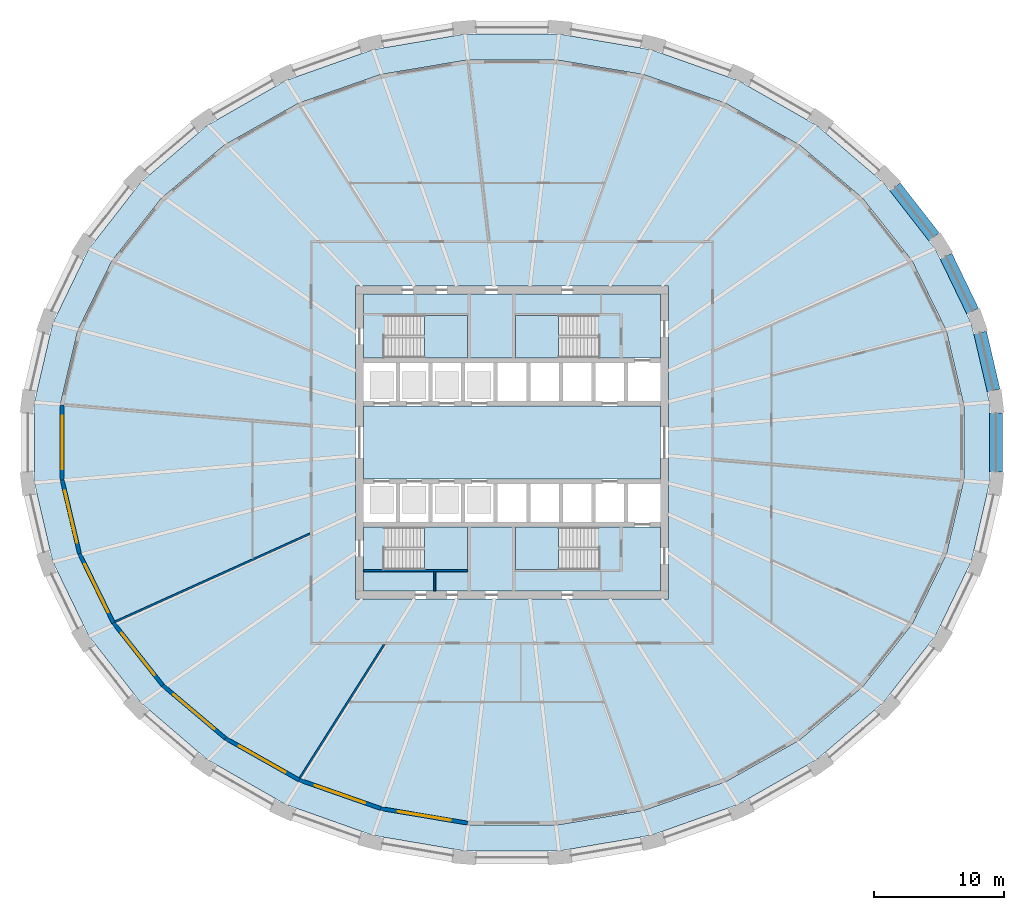
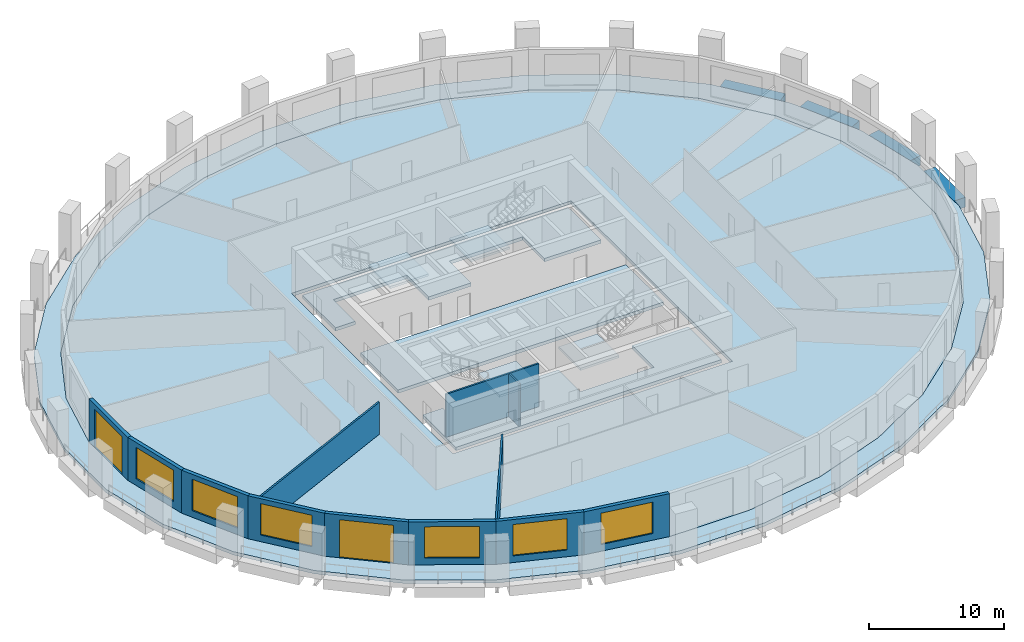
# One storey, part 2 of 10: 12 walls, 9 slabs, 6 windows, 4 beams, 2 doors, 8 openings, 4 elements without a shape of their own.
"""IFC4 building model written with IfcOpenShell, lengths in metres."""

from ifc_helpers import new_model, si_unit, direction, frame, frame_2d, origin, origin_2d, place, context, subcontext, project, spatial, polyline, rectangle, outline, extrude, material, layer, layer_set, material_profile, profile_set, type_object, element, fill, aggregate, save


model = new_model("IFC4")

# Units and contexts
model_context = context("Model", 3, precision=1e-05, world=origin(), true_north=direction((0.0, 1.0)))
body_context = subcontext(model_context, "Body", "Model", "MODEL_VIEW")
ifc_project = project(units=[si_unit("LENGTHUNIT", "METRE"), si_unit("AREAUNIT", "SQUARE_METRE"), si_unit("VOLUMEUNIT", "CUBIC_METRE"), si_unit("PLANEANGLEUNIT", "RADIAN"), si_unit("MASSUNIT", "GRAM", prefix="KILO")], contexts=[model_context])

# Site, building, storey
site_placement = place(None, origin())
site = spatial("IfcSite", under=ifc_project, at=site_placement, CompositionType="ELEMENT")
building_placement = place(site_placement, origin())
building = spatial("IfcBuilding", under=site, at=building_placement, Name="Halqa Exchange Tower", CompositionType="ELEMENT")
storey_placement = place(building_placement, frame((0.0, 0.0, 48.699951171875)))
storey = spatial("IfcBuildingStorey", under=building, at=storey_placement, Name="L10", CompositionType="ELEMENT", Elevation=48.699951171875)

# Beams
ifc_material_1 = material(Name="Concrete C60/75", Category="concrete")
ifc_material_profile = material_profile(ifc_material_1, rectangle(XDim=1.0, YDim=0.89990234375, at=origin_2d()), Name="1000 x 900")
ifc_profile_set = profile_set([ifc_material_profile], Name="Concrete C60/75")
beam_type = type_object("IfcBeamType", Name="RC spandrel beam 1000 x 900 C60/75", PredefinedType="SPANDREL", material=ifc_profile_set)
beam_1_placement = place(storey_placement, frame((36.9375, 3.99072265625, -0.449951171875), z_axis=(-0.226037111301, 0.974118691082, 0.0), x_axis=(-0.974118691082, -0.226037111301, 0.0)))
element("IfcBeam", 1, at=beam_1_placement, inside=storey, type_object=beam_type, Name="Spandrel 1", PredefinedType="SPANDREL", context=body_context, shape_type="SweptSolid", body=[
    extrude(rectangle(XDim=1.0, YDim=0.89990234375, at=origin_2d()), origin(), (0.0, 0.0, 1.0), 4.556884765625),
])
beam_2_placement = place(storey_placement, frame((35.327392578125, 10.074462890625, -0.449951171875), z_axis=(-0.43512988636, 0.900367692666, 0.0), x_axis=(-0.900367692666, -0.43512988636, 0.0)))
element("IfcBeam", 2, at=beam_2_placement, inside=storey, type_object=beam_type, Name="Spandrel 2", PredefinedType="SPANDREL", context=body_context, shape_type="SweptSolid", body=[
    extrude(rectangle(XDim=1.0, YDim=0.89990234375, at=origin_2d()), origin(), (0.0, 0.0, 1.0), 4.6787109375),
])
beam_3_placement = place(storey_placement, frame((32.37060546875, 15.76904296875, -0.449951171875), z_axis=(-0.614803063133, 0.788680666406, 0.0), x_axis=(-0.788680666406, -0.614803063133, 0.0)))
element("IfcBeam", 3, at=beam_3_placement, inside=storey, type_object=beam_type, Name="Spandrel 3", PredefinedType="SPANDREL", context=body_context, shape_type="SweptSolid", body=[
    extrude(rectangle(XDim=1.0, YDim=0.89990234375, at=origin_2d()), origin(), (0.0, 0.0, 1.0), 4.858154296875),
])
beam_4_placement = place(storey_placement, frame((37.135986328125, -2.25634765625, -0.449951171875), z_axis=(0.0, 1.0, 0.0), x_axis=(-1.0, 0.0, 0.0)))
element("IfcBeam", 4, at=beam_4_placement, inside=storey, type_object=beam_type, Name="Spandrel 32", PredefinedType="SPANDREL", context=body_context, shape_type="SweptSolid", body=[
    extrude(rectangle(XDim=1.0, YDim=0.89990234375, at=origin_2d()), origin(), (0.0, 0.0, 1.0), 4.5126953125),
])

# Slabs
ifc_layer_1 = layer(ifc_material_1, 0.300048828125)
ifc_layer_set_1 = layer_set([ifc_layer_1], Name="Concrete C60/75")
slab_type_1 = type_object("IfcSlabType", Name="Core floor slab 300", PredefinedType="FLOOR", material=ifc_layer_set_1)
slab_1_placement = place(storey_placement, frame((0.0, 0.0, -0.300048828125)))
element("IfcSlab", 5, at=slab_1_placement, inside=storey, type_object=slab_type_1, Name="Core floor slab", PredefinedType="FLOOR", context=body_context, shape_type="SweptSolid", body=[
    extrude(outline(polyline([(-11.39990234375, 2.800048828125), (11.39990234375, 2.800048828125), (11.39990234375, -2.800048828125), (-11.39990234375, -2.800048828125), (-11.39990234375, 2.800048828125)])), origin(), (0.0, 0.0, 1.0), 0.300048828125),
])
slab_2_placement = place(storey_placement, frame((0.0, 0.0, -0.300048828125)))
element("IfcSlab", 6, at=slab_2_placement, inside=storey, type_object=slab_type_1, Name="Core floor slab", PredefinedType="FLOOR", context=body_context, shape_type="SweptSolid", body=[
    extrude(outline(polyline([(-11.39990234375, 11.39990234375), (11.39990234375, 11.39990234375), (11.39990234375, 6.5), (6.550048828125, 6.5), (6.550048828125, 9.75), (0.25, 9.75), (0.25, 6.5), (-3.39990234375, 6.5), (-3.39990234375, 9.75), (-9.699951171875, 9.75), (-9.699951171875, 6.5), (-11.39990234375, 6.5), (-11.39990234375, 11.39990234375)])), origin(), (0.0, 0.0, 1.0), 0.300048828125),
])
slab_3_placement = place(storey_placement, frame((0.0, 0.0, -0.300048828125)))
element("IfcSlab", 7, at=slab_3_placement, inside=storey, type_object=slab_type_1, Name="Core floor slab", PredefinedType="FLOOR", context=body_context, shape_type="SweptSolid", body=[
    extrude(outline(polyline([(-9.699951171875, -9.75), (-3.39990234375, -9.75), (-3.39990234375, -6.5), (0.25, -6.5), (0.25, -9.75), (6.550048828125, -9.75), (6.550048828125, -6.5), (11.39990234375, -6.5), (11.39990234375, -11.39990234375), (-11.39990234375, -11.39990234375), (-11.39990234375, -6.5), (-9.699951171875, -6.5), (-9.699951171875, -9.75)])), origin(), (0.0, 0.0, 1.0), 0.300048828125),
])
ifc_material_2 = material(Name="Concrete C40/50", Category="concrete")
ifc_layer_2 = layer(ifc_material_2, 0.300048828125)
ifc_layer_set_2 = layer_set([ifc_layer_2], Name="Concrete C40/50")
slab_type_2 = type_object("IfcSlabType", Name="RC floor slab 300", PredefinedType="FLOOR", material=ifc_layer_set_2)
slab_4_placement = place(storey_placement, frame((0.0, 0.0, -0.300048828125)))
element("IfcSlab", 8, at=slab_4_placement, inside=storey, type_object=slab_type_2, Name="Floor slab", PredefinedType="FLOOR", context=body_context, shape_type="SweptSolid", body=[
    extrude(outline(polyline([(34.649658203125, 2.8955078125), (33.31396484375, 8.573486328125), (30.695556640625, 13.91845703125), (26.897705078125, 18.724365234375), (22.068603515625, 22.8076171875), (16.39501953125, 26.01318359375), (10.094482421875, 28.219970703125), (3.408203125, 29.344482421875), (-3.408203125, 29.344482421875), (-10.094482421875, 28.219970703125), (-16.39501953125, 26.01318359375), (-22.068603515625, 22.8076171875), (-26.897705078125, 18.724365234375), (-30.695556640625, 13.91845703125), (-33.31396484375, 8.573486328125), (-34.649658203125, 2.8955078125), (-34.649658203125, -2.8955078125), (-33.31396484375, -8.573486328125), (-30.695556640625, -13.91845703125), (-26.897705078125, -18.724365234375), (-22.068603515625, -22.8076171875), (-16.39501953125, -26.01318359375), (-10.094482421875, -28.219970703125), (-3.408203125, -29.344482421875), (3.408203125, -29.344482421875), (10.094482421875, -28.219970703125), (16.39501953125, -26.01318359375), (22.068603515625, -22.8076171875), (26.897705078125, -18.724365234375), (30.695556640625, -13.91845703125), (33.31396484375, -8.573486328125), (34.649658203125, -2.8955078125), (34.649658203125, 2.8955078125)]), holes=[polyline([(-12.0, -12.0), (12.0, -12.0), (12.0, 12.0), (-12.0, 12.0), (-12.0, -12.0)])]), origin(), (0.0, 0.0, 1.0), 0.300048828125),
])
ifc_layer_3 = layer(ifc_material_2, 0.300048828125)
ifc_layer_set_3 = layer_set([ifc_layer_3], Name="Concrete C40/50")
slab_type_3 = type_object("IfcSlabType", Name="RC loggia slab 300", PredefinedType="FLOOR", material=ifc_layer_set_3)
slab_5_placement = place(storey_placement, frame((0.0, 0.0, -0.300048828125)))
element("IfcSlab", 9, at=slab_5_placement, inside=storey, type_object=slab_type_3, Name="Loggia slab", PredefinedType="FLOOR", context=body_context, shape_type="SweptSolid", body=[
    extrude(outline(polyline([(36.635986328125, 3.077880859375), (36.635986328125, -3.077880859375), (35.234619140625, -9.117431640625), (32.482666015625, -14.812255859375), (28.48193359375, -19.944091796875), (23.38330078125, -24.314208984375), (17.380859375, -27.752197265625), (10.70556640625, -30.1220703125), (3.615234375, -31.3310546875), (-3.615234375, -31.3310546875), (-10.70556640625, -30.1220703125), (-17.380859375, -27.752197265625), (-23.38330078125, -24.314208984375), (-28.48193359375, -19.944091796875), (-32.482666015625, -14.812255859375), (-35.234619140625, -9.117431640625), (-36.635986328125, -3.077880859375), (-36.635986328125, 3.077880859375), (-35.234619140625, 9.117431640625), (-32.482666015625, 14.812255859375), (-28.48193359375, 19.944091796875), (-23.38330078125, 24.314208984375), (-17.380859375, 27.752197265625), (-10.70556640625, 30.1220703125), (-3.615234375, 31.3310546875), (3.615234375, 31.3310546875), (10.70556640625, 30.1220703125), (17.380859375, 27.752197265625), (23.38330078125, 24.314208984375), (28.48193359375, 19.944091796875), (32.482666015625, 14.812255859375), (35.234619140625, 9.117431640625), (36.635986328125, 3.077880859375)]), holes=[polyline([(34.649658203125, 2.8955078125), (33.31396484375, 8.573486328125), (30.695556640625, 13.91845703125), (26.897705078125, 18.724365234375), (22.068603515625, 22.8076171875), (16.39501953125, 26.01318359375), (10.094482421875, 28.219970703125), (3.408203125, 29.344482421875), (-3.408203125, 29.344482421875), (-10.094482421875, 28.219970703125), (-16.39501953125, 26.01318359375), (-22.068603515625, 22.8076171875), (-26.897705078125, 18.724365234375), (-30.695556640625, 13.91845703125), (-33.31396484375, 8.573486328125), (-34.649658203125, 2.8955078125), (-34.649658203125, -2.8955078125), (-33.31396484375, -8.573486328125), (-30.695556640625, -13.91845703125), (-26.897705078125, -18.724365234375), (-22.068603515625, -22.8076171875), (-16.39501953125, -26.01318359375), (-10.094482421875, -28.219970703125), (-3.408203125, -29.344482421875), (3.408203125, -29.344482421875), (10.094482421875, -28.219970703125), (16.39501953125, -26.01318359375), (22.068603515625, -22.8076171875), (26.897705078125, -18.724365234375), (30.695556640625, -13.91845703125), (33.31396484375, -8.573486328125), (34.649658203125, -2.8955078125), (34.649658203125, 2.8955078125)])]), origin(), (0.0, 0.0, 1.0), 0.300048828125),
])

# Stair, slab
ifc_material_3 = material(Name="Concrete C30/37", Category="concrete")
stair_type = type_object("IfcStairType", Name="Exit stair 1500 wide", PredefinedType="HALF_TURN_STAIR", material=ifc_material_3)
stair_1_placement = place(storey_placement, origin())
stair_1 = element("IfcStair", 10, at=stair_1_placement, inside=storey, type_object=stair_type, Name="Exit stair ST1", PredefinedType="HALF_TURN_STAIR")
ifc_layer_4 = layer(ifc_material_3, 0.199951171875)
ifc_layer_set_4 = layer_set([ifc_layer_4], Name="Concrete C30/37")
slab_type_4 = type_object("IfcSlabType", Name="Stair landing 200 slab", PredefinedType="LANDING", material=ifc_layer_set_4)
slab_6_placement = place(storey_placement, frame((0.0, 0.0, 1.900146484375)))
slab_6 = element("IfcSlab", 11, at=slab_6_placement, type_object=slab_type_4, Name="ST1 landing 1", PredefinedType="LANDING", context=body_context, shape_type="SweptSolid", body=[
    extrude(outline(polyline([(-6.719970703125, 6.5), (-3.39990234375, 6.5), (-3.39990234375, 9.75), (-6.719970703125, 9.75), (-6.719970703125, 6.5)])), origin(), (0.0, 0.0, 1.0), 0.199951171875),
])
aggregate(stair_1, [slab_6])

stair_2_placement = place(storey_placement, origin())
stair_2 = element("IfcStair", 12, at=stair_2_placement, inside=storey, type_object=stair_type, Name="Exit stair ST2", PredefinedType="HALF_TURN_STAIR")
slab_7_placement = place(storey_placement, frame((0.0, 0.0, 1.900146484375)))
slab_7 = element("IfcSlab", 13, at=slab_7_placement, type_object=slab_type_4, Name="ST2 landing 1", PredefinedType="LANDING", context=body_context, shape_type="SweptSolid", body=[
    extrude(outline(polyline([(0.25, 6.5), (3.570068359375, 6.5), (3.570068359375, 9.75), (0.25, 9.75), (0.25, 6.5)])), origin(), (0.0, 0.0, 1.0), 0.199951171875),
])
aggregate(stair_2, [slab_7])

stair_3_placement = place(storey_placement, origin())
stair_3 = element("IfcStair", 14, at=stair_3_placement, inside=storey, type_object=stair_type, Name="Exit stair ST3", PredefinedType="HALF_TURN_STAIR")
slab_8_placement = place(storey_placement, frame((0.0, 0.0, 1.900146484375)))
slab_8 = element("IfcSlab", 15, at=slab_8_placement, type_object=slab_type_4, Name="ST3 landing 1", PredefinedType="LANDING", context=body_context, shape_type="SweptSolid", body=[
    extrude(outline(polyline([(-6.719970703125, -9.75), (-3.39990234375, -9.75), (-3.39990234375, -6.5), (-6.719970703125, -6.5), (-6.719970703125, -9.75)])), origin(), (0.0, 0.0, 1.0), 0.199951171875),
])
aggregate(stair_3, [slab_8])

stair_4_placement = place(storey_placement, origin())
stair_4 = element("IfcStair", 16, at=stair_4_placement, inside=storey, type_object=stair_type, Name="Exit stair ST4", PredefinedType="HALF_TURN_STAIR")
slab_9_placement = place(storey_placement, frame((0.0, 0.0, 1.900146484375)))
slab_9 = element("IfcSlab", 17, at=slab_9_placement, type_object=slab_type_4, Name="ST4 landing 1", PredefinedType="LANDING", context=body_context, shape_type="SweptSolid", body=[
    extrude(outline(polyline([(0.25, -9.75), (3.570068359375, -9.75), (3.570068359375, -6.5), (0.25, -6.5), (0.25, -9.75)])), origin(), (0.0, 0.0, 1.0), 0.199951171875),
])
aggregate(stair_4, [slab_9])

# Walls
ifc_material_4 = material(Name="Fire-rated gypsum board")
ifc_layer_5 = layer(ifc_material_4, 0.14990234375)
ifc_layer_set_5 = layer_set([ifc_layer_5], Name="Fire-rated gypsum board")
wall_type_1 = type_object("IfcWallType", Name="Fire partition EI 60 150", PredefinedType="PARTITIONING", material=ifc_layer_set_5)
wall_1_placement = place(storey_placement, frame((-30.443603515625, -13.755126953125, 0.0), z_axis=(0.0, 0.0, 1.0), x_axis=(0.911343853748, 0.411645940385, 0.0)))
element("IfcWall", 18, at=wall_1_placement, inside=storey, type_object=wall_type_1, Name="L10-PWL-002", PredefinedType="PARTITIONING", context=body_context, shape_type="SweptSolid", body=[
    extrude(outline(polyline([(0.019775390625, -0.074951171875), (1.8388671875, -0.074951171875), (3.65771484375, -0.074951171875), (5.476806640625, -0.074951171875), (7.2958984375, -0.074951171875), (9.11474609375, -0.074951171875), (10.933837890625, -0.074951171875), (12.7529296875, -0.074951171875), (14.57177734375, -0.074951171875), (16.390869140625, -0.074951171875), (16.442138671875, 0.038330078125), (16.442138671875, 0.038330078125), (16.45849609375, 0.074951171875), (14.8583984375, 0.074951171875), (13.25830078125, 0.074951171875), (11.657958984375, 0.074951171875), (11.6572265625, 0.072998046875), (11.65283203125, 0.074951171875), (9.710693359375, 0.074951171875), (7.7685546875, 0.074951171875), (5.826416015625, 0.074951171875), (3.88427734375, 0.074951171875), (1.942138671875, 0.074951171875), (0.0, 0.074951171875), (0.0, 0.06201171875), (0.001953125, -0.003662109375), (0.019775390625, -0.074951171875)])), origin(), (0.0, 0.0, 1.0), 2.91015625),
])
wall_2_placement = place(storey_placement, frame((-16.27294921875, -25.74169921875, 0.0), z_axis=(0.0, 0.0, 1.0), x_axis=(0.534654841392, 0.845070529942, 0.0)))
element("IfcWall", 19, at=wall_2_placement, inside=storey, type_object=wall_type_1, Name="L10-PWL-004", PredefinedType="PARTITIONING", context=body_context, shape_type="SweptSolid", body=[
    extrude(outline(polyline([(0.020751953125, -0.074951171875), (1.768798828125, -0.074951171875), (3.516845703125, -0.074951171875), (5.26513671875, -0.074951171875), (7.01318359375, -0.074951171875), (7.017578125, -0.072265625), (7.019287109375, -0.074951171875), (8.744873046875, -0.074951171875), (10.470703125, -0.074951171875), (12.1962890625, -0.074951171875), (12.1962890625, -0.074951171875), (12.1015625, 0.074951171875), (10.372802734375, 0.074951171875), (8.64404296875, 0.074951171875), (6.9150390625, 0.074951171875), (5.186279296875, 0.074951171875), (3.45751953125, 0.074951171875), (1.728759765625, 0.074951171875), (0.0, 0.074951171875), (0.0, 0.071044921875), (0.003662109375, -0.00048828125), (0.020751953125, -0.074951171875)])), origin(), (0.0, 0.0, 1.0), 3.110107421875),
])
ifc_material_5 = material(Name="Gypsum board")
ifc_layer_6 = layer(ifc_material_5, 0.14990234375)
ifc_layer_set_6 = layer_set([ifc_layer_6], Name="Gypsum board")
wall_type_2 = type_object("IfcWallType", Name="Penthouse riser wall 150 gypsum", PredefinedType="PARTITIONING", material=ifc_layer_set_6)
wall_3_placement = place(storey_placement, frame((-5.925048828125, -11.39990234375, 0.0), z_axis=(0.0, 0.0, 1.0), x_axis=(0.0, 1.0, 0.0)))
element("IfcWall", 20, at=wall_3_placement, inside=storey, type_object=wall_type_2, Name="Partition W5.925 S", PredefinedType="PARTITIONING", context=body_context, shape_type="SweptSolid", body=[
    extrude(rectangle(XDim=1.5, YDim=0.14990234375, at=frame_2d((0.75, 0.0))), origin(), (0.0, 0.0, 1.0), 3.900146484375),
])
ifc_layer_7 = layer(ifc_material_3, 0.14990234375)
ifc_layer_set_7 = layer_set([ifc_layer_7], Name="Concrete C30/37")
wall_type_3 = type_object("IfcWallType", Name="RC stair wall 150 C30/37", PredefinedType="SHEAR", material=ifc_layer_set_7)
wall_4_placement = place(storey_placement, frame((-11.39990234375, -9.824951171875, 0.0), z_axis=(0.0, 0.0, 1.0), x_axis=(1.0, 0.0, 0.0)))
element("IfcWall", 21, at=wall_4_placement, inside=storey, type_object=wall_type_3, Name="Stair ST1 north wall S", PredefinedType="SHEAR", context=body_context, shape_type="SweptSolid", body=[
    extrude(rectangle(XDim=8.0, YDim=0.14990234375, at=frame_2d((4.0, 0.0))), origin(), (0.0, 0.0, 1.0), 3.900146484375),
])

# Wall, opening, door
ifc_material_6 = material(Name="Limestone cladding", Category="masonry")
ifc_layer_8 = layer(ifc_material_6, 0.0400390625)
ifc_material_7 = material(Name="Ventilated cavity")
ifc_layer_9 = layer(ifc_material_7, 0.030029296875, ventilated=True)
ifc_material_8 = material(Name="Mineral wool insulation")
ifc_layer_10 = layer(ifc_material_8, 0.10009765625)
ifc_layer_11 = layer(ifc_material_3, 0.10009765625)
ifc_material_9 = material(Name="Internal plaster")
ifc_layer_12 = layer(ifc_material_9, 0.030029296875)
ifc_layer_set_8 = layer_set([ifc_layer_8, ifc_layer_9, ifc_layer_10, ifc_layer_11, ifc_layer_12], Name="Stone-faced insulated wall 300")
wall_type_4 = type_object("IfcWallType", Name="Stone-faced insulated wall 300", PredefinedType="STANDARD", material=ifc_layer_set_8)
wall_5_placement = place(storey_placement, frame((-34.49951171875, 2.8779296875, 0.0), z_axis=(0.0, 0.0, 1.0), x_axis=(0.0, -1.0, 0.0)))
wall_5 = element("IfcWall", 22, at=wall_5_placement, inside=storey, type_object=wall_type_4, Name="Glass-line wall 16", PredefinedType="STANDARD", context=body_context, shape_type="SweptSolid", body=[
    extrude(outline(polyline([(-0.017333984375, -0.14990234375), (5.773193359375, -0.14990234375), (5.738525390625, 0.14990234375), (0.017333984375, 0.14990234375), (-0.017333984375, -0.14990234375)])), origin(), (0.0, 0.0, 1.0), 3.900146484375),
])
opening_1_placement = place(wall_5_placement, frame((0.827880859375, 0.0, 0.0)))
opening_1 = element("IfcOpeningElement", 23, at=opening_1_placement, cuts=wall_5, Name="Opening LG-F1-04", PredefinedType="OPENING", context=body_context, shape_type="SweptSolid", body=[
    extrude(rectangle(XDim=4.10009765625, YDim=3.449951171875, at=frame_2d((2.050048828125, 1.72509765625))), frame((0.0, 0.162109375, 0.0), z_axis=(0.0, -1.0, 0.0), x_axis=(1.0, 0.0, 0.0)), (0.0, 0.0, 1.0), 0.323974609375),
])
ifc_material_10 = material(Name="Clear low-emissivity glass in aluminium frame", Category="aluminium")
door_type = type_object("IfcDoorType", Name="Glazed sliding loggia door 4100 x 3450", OperationType="DOUBLE_DOOR_SLIDING", PredefinedType="DOOR", material=ifc_material_10)
door_1_placement = place(opening_1_placement, origin())
door_1 = element("IfcDoor", 24, at=door_1_placement, inside=storey, type_object=door_type, Name="Loggia door 4", OperationType="DOUBLE_DOOR_SLIDING", OverallHeight=3.449951171875, OverallWidth=4.10009765625, PredefinedType="DOOR", context=body_context, shape_type="SweptSolid", body=[
    extrude(rectangle(XDim=4.10009765625, YDim=3.449951171875, at=frame_2d((2.050048828125, 1.72509765625))), frame((0.0, 0.02490234375, 0.0), z_axis=(0.0, -1.0, 0.0), x_axis=(1.0, 0.0, 0.0)), (0.0, 0.0, 1.0), 0.050048828125),
])
fill(opening_1, door_1)

# Wall, opening, window
wall_6_placement = place(storey_placement, frame((-34.49951171875, -2.8779296875, 0.0), z_axis=(0.0, 0.0, 1.0), x_axis=(0.228990053972, -0.973428762253, 0.0)))
wall_6 = element("IfcWall", 25, at=wall_6_placement, inside=storey, type_object=wall_type_4, Name="Glass-line wall 17", PredefinedType="STANDARD", context=body_context, shape_type="SweptSolid", body=[
    extrude(outline(polyline([(-0.017333984375, -0.14990234375), (5.815673828125, -0.14990234375), (5.781982421875, 0.14990234375), (0.017333984375, 0.14990234375), (-0.017333984375, -0.14990234375)])), origin(), (0.0, 0.0, 1.0), 3.900146484375),
])
opening_2_placement = place(wall_6_placement, frame((0.849365234375, 0.0, 0.60009765625)))
opening_2 = element("IfcOpeningElement", 26, at=opening_2_placement, cuts=wall_6, Name="Opening W-F1-17", PredefinedType="OPENING", context=body_context, shape_type="SweptSolid", body=[
    extrude(rectangle(XDim=4.10009765625, YDim=2.85009765625, at=frame_2d((2.050048828125, 1.425048828125))), frame((0.0, 0.162109375, 0.0), z_axis=(0.0, -1.0, 0.0), x_axis=(1.0, 0.0, 0.0)), (0.0, 0.0, 1.0), 0.323974609375),
])
window_type = type_object("IfcWindowType", Name="Fixed clear glazed window 4100 x 2850", PartitioningType="TRIPLE_PANEL_VERTICAL", PredefinedType="WINDOW", material=ifc_material_10)
window_1_placement = place(opening_2_placement, origin())
window_1 = element("IfcWindow", 27, at=window_1_placement, inside=storey, type_object=window_type, Name="Window 1", OverallHeight=2.85009765625, OverallWidth=4.10009765625, PartitioningType="TRIPLE_PANEL_VERTICAL", PredefinedType="WINDOW", context=body_context, shape_type="SweptSolid", body=[
    extrude(rectangle(XDim=4.10009765625, YDim=2.85009765625, at=frame_2d((2.050048828125, 1.425048828125))), frame((0.0, 0.030029296875, 0.0), z_axis=(0.0, -1.0, 0.0), x_axis=(1.0, 0.0, 0.0)), (0.0, 0.0, 1.0), 0.06005859375),
])
fill(opening_2, window_1)

wall_7_placement = place(storey_placement, frame((-33.171630859375, -8.522705078125, 0.0), z_axis=(0.0, 0.0, 1.0), x_axis=(0.439906146647, -0.898043752911, 0.0)))
wall_7 = element("IfcWall", 28, at=wall_7_placement, inside=storey, type_object=wall_type_4, Name="Glass-line wall 18", PredefinedType="STANDARD", context=body_context, shape_type="SweptSolid", body=[
    extrude(outline(polyline([(-0.016845703125, -0.14990234375), (5.93505859375, -0.14990234375), (5.90283203125, 0.14990234375), (0.016845703125, 0.14990234375), (-0.016845703125, -0.14990234375)])), origin(), (0.0, 0.0, 1.0), 3.900146484375),
])
opening_3_placement = place(wall_7_placement, frame((0.909423828125, 0.0, 0.60009765625)))
opening_3 = element("IfcOpeningElement", 29, at=opening_3_placement, cuts=wall_7, Name="Opening W-F1-18", PredefinedType="OPENING", context=body_context, shape_type="SweptSolid", body=[
    extrude(rectangle(XDim=4.10009765625, YDim=2.85009765625, at=frame_2d((2.050048828125, 1.425048828125))), frame((0.0, 0.162109375, 0.0), z_axis=(0.0, -1.0, 0.0), x_axis=(1.0, 0.0, 0.0)), (0.0, 0.0, 1.0), 0.323974609375),
])
window_2_placement = place(opening_3_placement, origin())
window_2 = element("IfcWindow", 30, at=window_2_placement, inside=storey, type_object=window_type, Name="Window 1", OverallHeight=2.85009765625, OverallWidth=4.10009765625, PartitioningType="TRIPLE_PANEL_VERTICAL", PredefinedType="WINDOW", context=body_context, shape_type="SweptSolid", body=[
    extrude(rectangle(XDim=4.10009765625, YDim=2.85009765625, at=frame_2d((2.050048828125, 1.425048828125))), frame((0.0, 0.030029296875, 0.0), z_axis=(0.0, -1.0, 0.0), x_axis=(1.0, 0.0, 0.0)), (0.0, 0.0, 1.0), 0.06005859375),
])
fill(opening_3, window_2)

wall_8_placement = place(storey_placement, frame((-30.56787109375, -13.838134765625, 0.0), z_axis=(0.0, 0.0, 1.0), x_axis=(0.619993638342, -0.78460683684, 0.0)))
wall_8 = element("IfcWall", 31, at=wall_8_placement, inside=storey, type_object=wall_type_4, Name="Glass-line wall 19", PredefinedType="STANDARD", context=body_context, shape_type="SweptSolid", body=[
    extrude(outline(polyline([(-0.01611328125, -0.14990234375), (6.109375, -0.14990234375), (6.0791015625, 0.14990234375), (0.01611328125, 0.14990234375), (-0.01611328125, -0.14990234375)])), origin(), (0.0, 0.0, 1.0), 3.900146484375),
])
opening_4_placement = place(wall_8_placement, frame((0.9970703125, 0.0, 0.60009765625)))
opening_4 = element("IfcOpeningElement", 32, at=opening_4_placement, cuts=wall_8, Name="Opening W-F1-19", PredefinedType="OPENING", context=body_context, shape_type="SweptSolid", body=[
    extrude(rectangle(XDim=4.10009765625, YDim=2.85009765625, at=frame_2d((2.050048828125, 1.425048828125))), frame((0.0, 0.162109375, 0.0), z_axis=(0.0, -1.0, 0.0), x_axis=(1.0, 0.0, 0.0)), (0.0, 0.0, 1.0), 0.323974609375),
])
window_3_placement = place(opening_4_placement, origin())
window_3 = element("IfcWindow", 33, at=window_3_placement, inside=storey, type_object=window_type, Name="Window 1", OverallHeight=2.85009765625, OverallWidth=4.10009765625, PartitioningType="TRIPLE_PANEL_VERTICAL", PredefinedType="WINDOW", context=body_context, shape_type="SweptSolid", body=[
    extrude(rectangle(XDim=4.10009765625, YDim=2.85009765625, at=frame_2d((2.050048828125, 1.425048828125))), frame((0.0, 0.030029296875, 0.0), z_axis=(0.0, -1.0, 0.0), x_axis=(1.0, 0.0, 0.0)), (0.0, 0.0, 1.0), 0.06005859375),
])
fill(opening_4, window_3)

# Wall, opening, door
wall_9_placement = place(storey_placement, frame((-26.78955078125, -18.61962890625, 0.0), z_axis=(0.0, 0.0, 1.0), x_axis=(0.763614259808, -0.645672720671, 0.0)))
wall_9 = element("IfcWall", 34, at=wall_9_placement, inside=storey, type_object=wall_type_4, Name="Glass-line wall 20", PredefinedType="STANDARD", context=body_context, shape_type="SweptSolid", body=[
    extrude(outline(polyline([(-0.01513671875, -0.14990234375), (6.30908203125, -0.14990234375), (6.28076171875, 0.14990234375), (0.01513671875, 0.14990234375), (-0.01513671875, -0.14990234375)])), origin(), (0.0, 0.0, 1.0), 3.900146484375),
])
opening_5_placement = place(wall_9_placement, frame((1.097412109375, 0.0, 0.0)))
opening_5 = element("IfcOpeningElement", 35, at=opening_5_placement, cuts=wall_9, Name="Opening LG-F1-05", PredefinedType="OPENING", context=body_context, shape_type="SweptSolid", body=[
    extrude(rectangle(XDim=4.10009765625, YDim=3.449951171875, at=frame_2d((2.050048828125, 1.72509765625))), frame((0.0, 0.162109375, 0.0), z_axis=(0.0, -1.0, 0.0), x_axis=(1.0, 0.0, 0.0)), (0.0, 0.0, 1.0), 0.323974609375),
])
door_2_placement = place(opening_5_placement, origin())
door_2 = element("IfcDoor", 36, at=door_2_placement, inside=storey, type_object=door_type, Name="Loggia door 5", OperationType="DOUBLE_DOOR_SLIDING", OverallHeight=3.449951171875, OverallWidth=4.10009765625, PredefinedType="DOOR", context=body_context, shape_type="SweptSolid", body=[
    extrude(rectangle(XDim=4.10009765625, YDim=3.449951171875, at=frame_2d((2.050048828125, 1.72509765625))), frame((0.0, 0.02490234375, 0.0), z_axis=(0.0, -1.0, 0.0), x_axis=(1.0, 0.0, 0.0)), (0.0, 0.0, 1.0), 0.050048828125),
])
fill(opening_5, door_2)

# Wall, opening, window
wall_10_placement = place(storey_placement, frame((-21.982666015625, -22.68408203125, 0.0), z_axis=(0.0, 0.0, 1.0), x_axis=(0.870647609977, -0.491907246584, 0.0)))
wall_10 = element("IfcWall", 37, at=wall_10_placement, inside=storey, type_object=wall_type_4, Name="Glass-line wall 21", PredefinedType="STANDARD", context=body_context, shape_type="SweptSolid", body=[
    extrude(outline(polyline([(-0.01416015625, -0.14990234375), (6.502685546875, -0.14990234375), (6.475830078125, 0.14990234375), (0.01416015625, 0.14990234375), (-0.01416015625, -0.14990234375)])), origin(), (0.0, 0.0, 1.0), 3.900146484375),
])
opening_6_placement = place(wall_10_placement, frame((1.194580078125, 0.0, 0.60009765625)))
opening_6 = element("IfcOpeningElement", 38, at=opening_6_placement, cuts=wall_10, Name="Opening W-F1-21", PredefinedType="OPENING", context=body_context, shape_type="SweptSolid", body=[
    extrude(rectangle(XDim=4.10009765625, YDim=2.85009765625, at=frame_2d((2.050048828125, 1.425048828125))), frame((0.0, 0.162109375, 0.0), z_axis=(0.0, -1.0, 0.0), x_axis=(1.0, 0.0, 0.0)), (0.0, 0.0, 1.0), 0.323974609375),
])
window_4_placement = place(opening_6_placement, origin())
window_4 = element("IfcWindow", 39, at=window_4_placement, inside=storey, type_object=window_type, Name="Window 1", OverallHeight=2.85009765625, OverallWidth=4.10009765625, PartitioningType="TRIPLE_PANEL_VERTICAL", PredefinedType="WINDOW", context=body_context, shape_type="SweptSolid", body=[
    extrude(rectangle(XDim=4.10009765625, YDim=2.85009765625, at=frame_2d((2.050048828125, 1.425048828125))), frame((0.0, 0.030029296875, 0.0), z_axis=(0.0, -1.0, 0.0), x_axis=(1.0, 0.0, 0.0)), (0.0, 0.0, 1.0), 0.06005859375),
])
fill(opening_6, window_4)

wall_11_placement = place(storey_placement, frame((-16.332763671875, -25.876220703125, 0.0), z_axis=(0.0, 0.0, 1.0), x_axis=(0.943790794479, -0.330543395421, 0.0)))
wall_11 = element("IfcWall", 40, at=wall_11_placement, inside=storey, type_object=wall_type_4, Name="Glass-line wall 22", PredefinedType="STANDARD", context=body_context, shape_type="SweptSolid", body=[
    extrude(outline(polyline([(-0.013427734375, -0.14990234375), (6.662353515625, -0.14990234375), (6.636962890625, 0.14990234375), (0.013427734375, 0.14990234375), (-0.013427734375, -0.14990234375)])), origin(), (0.0, 0.0, 1.0), 3.900146484375),
])
opening_7_placement = place(wall_11_placement, frame((1.27490234375, 0.0, 0.60009765625)))
opening_7 = element("IfcOpeningElement", 41, at=opening_7_placement, cuts=wall_11, Name="Opening W-F1-22", PredefinedType="OPENING", context=body_context, shape_type="SweptSolid", body=[
    extrude(rectangle(XDim=4.10009765625, YDim=2.85009765625, at=frame_2d((2.050048828125, 1.425048828125))), frame((0.0, 0.162109375, 0.0), z_axis=(0.0, -1.0, 0.0), x_axis=(1.0, 0.0, 0.0)), (0.0, 0.0, 1.0), 0.323974609375),
])
window_5_placement = place(opening_7_placement, origin())
window_5 = element("IfcWindow", 42, at=window_5_placement, inside=storey, type_object=window_type, Name="Window 1", OverallHeight=2.85009765625, OverallWidth=4.10009765625, PartitioningType="TRIPLE_PANEL_VERTICAL", PredefinedType="WINDOW", context=body_context, shape_type="SweptSolid", body=[
    extrude(rectangle(XDim=4.10009765625, YDim=2.85009765625, at=frame_2d((2.050048828125, 1.425048828125))), frame((0.0, 0.030029296875, 0.0), z_axis=(0.0, -1.0, 0.0), x_axis=(1.0, 0.0, 0.0)), (0.0, 0.0, 1.0), 0.06005859375),
])
fill(opening_7, window_5)

wall_12_placement = place(storey_placement, frame((-10.056884765625, -28.07421875, 0.0), z_axis=(0.0, 0.0, 1.0), x_axis=(0.986149614624, -0.165858185139, 0.0)))
wall_12 = element("IfcWall", 43, at=wall_12_placement, inside=storey, type_object=wall_type_4, Name="Glass-line wall 23", PredefinedType="STANDARD", context=body_context, shape_type="SweptSolid", body=[
    extrude(outline(polyline([(-0.0126953125, -0.14990234375), (6.767333984375, -0.14990234375), (6.742431640625, 0.14990234375), (0.0126953125, 0.14990234375), (-0.0126953125, -0.14990234375)])), origin(), (0.0, 0.0, 1.0), 3.900146484375),
])
opening_8_placement = place(wall_12_placement, frame((1.327392578125, 0.0, 0.60009765625)))
opening_8 = element("IfcOpeningElement", 44, at=opening_8_placement, cuts=wall_12, Name="Opening W-F1-23", PredefinedType="OPENING", context=body_context, shape_type="SweptSolid", body=[
    extrude(rectangle(XDim=4.10009765625, YDim=2.85009765625, at=frame_2d((2.050048828125, 1.425048828125))), frame((0.0, 0.162109375, 0.0), z_axis=(0.0, -1.0, 0.0), x_axis=(1.0, 0.0, 0.0)), (0.0, 0.0, 1.0), 0.323974609375),
])
window_6_placement = place(opening_8_placement, origin())
window_6 = element("IfcWindow", 45, at=window_6_placement, inside=storey, type_object=window_type, Name="Window 1", OverallHeight=2.85009765625, OverallWidth=4.10009765625, PartitioningType="TRIPLE_PANEL_VERTICAL", PredefinedType="WINDOW", context=body_context, shape_type="SweptSolid", body=[
    extrude(rectangle(XDim=4.10009765625, YDim=2.85009765625, at=frame_2d((2.050048828125, 1.425048828125))), frame((0.0, 0.030029296875, 0.0), z_axis=(0.0, -1.0, 0.0), x_axis=(1.0, 0.0, 0.0)), (0.0, 0.0, 1.0), 0.06005859375),
])
fill(opening_8, window_6)

save(model, "model.ifc")
